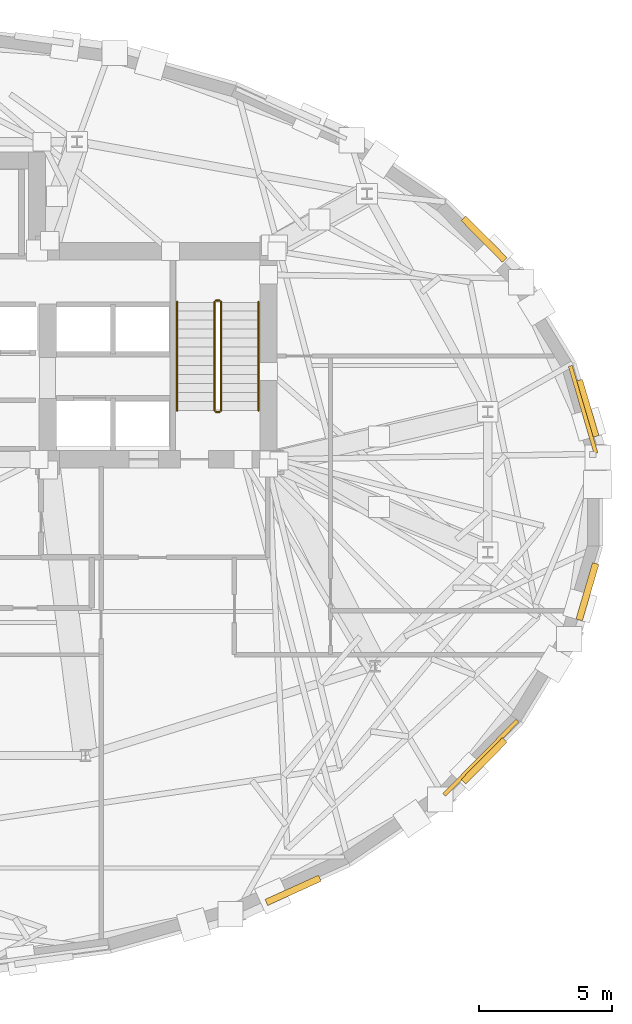
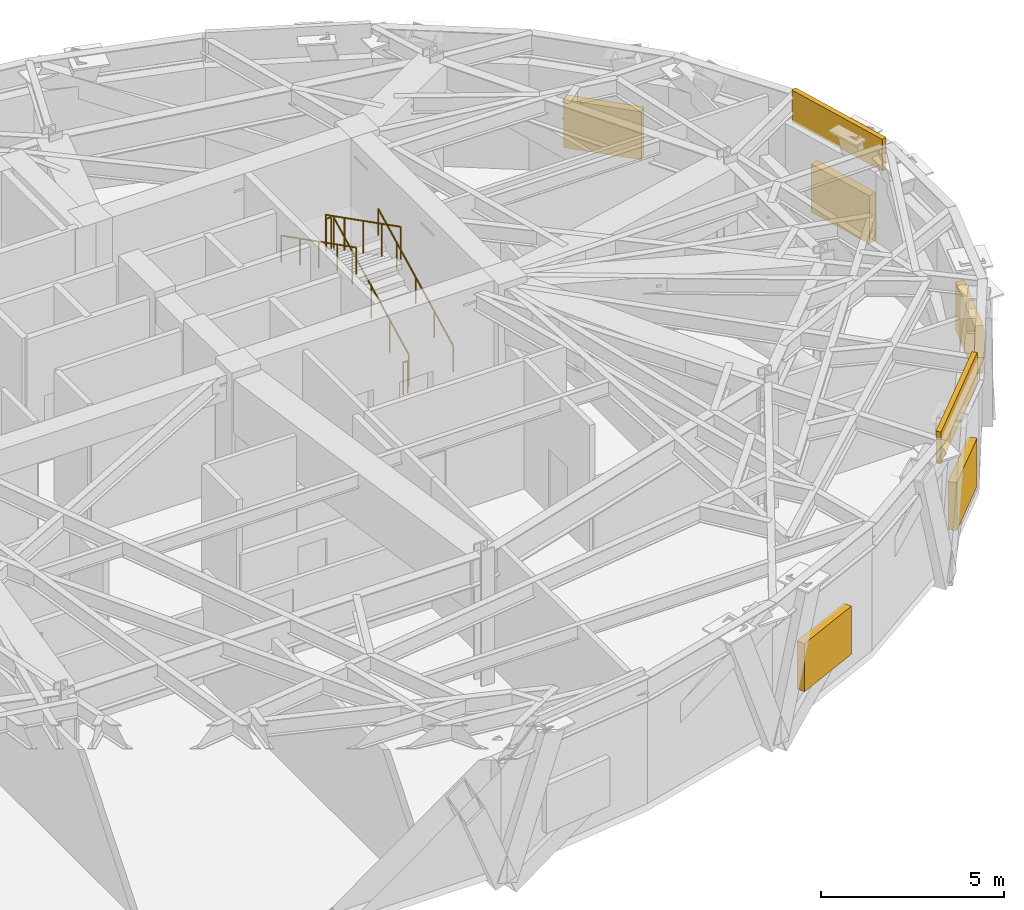
# One storey, part 12 of 13: 6 railings, 5 shading devices, 2 coverings.
"""IFC4 building model written with IfcOpenShell, lengths in metres."""

from ifc_helpers import new_model, si_unit, direction, frame, origin, origin_2d, place, context, subcontext, project, spatial, rectangle, circle, extrude, material, layer, layer_set, type_object, element, save


model = new_model("IFC4")

# Units and contexts
model_context = context("Model", 3, precision=1e-05, world=origin(), true_north=direction((0.0, 1.0)))
body_context = subcontext(model_context, "Body", "Model", "MODEL_VIEW")
ifc_project = project(units=[si_unit("LENGTHUNIT", "METRE"), si_unit("AREAUNIT", "SQUARE_METRE"), si_unit("VOLUMEUNIT", "CUBIC_METRE"), si_unit("PLANEANGLEUNIT", "RADIAN"), si_unit("MASSUNIT", "GRAM", prefix="KILO")], contexts=[model_context])

# Site, building, storey
site_placement = place(None, origin())
site = spatial("IfcSite", under=ifc_project, at=site_placement, CompositionType="ELEMENT")
building_placement = place(site_placement, origin())
building = spatial("IfcBuilding", under=site, at=building_placement, Name="Keldmark Tower", CompositionType="ELEMENT")
storey_placement = place(building_placement, frame((0.0, 0.0, 135.10009765625)))
storey = spatial("IfcBuildingStorey", under=building, at=storey_placement, Name="L36", CompositionType="ELEMENT", Elevation=135.10009765625)

# Coverings
ifc_material_1 = material(Name="Honed Kasota Buff Dolomitic Limestone", Category="masonry")
ifc_layer = layer(ifc_material_1, 0.074951171875)
ifc_layer_set = layer_set([ifc_layer], Name="Honed Kasota Buff Dolomitic Limestone")
covering_type = type_object("IfcCoveringType", Name="Kasota Buff Limestone Spandrel Cladding Band", PredefinedType="CLADDING", material=ifc_layer_set)
covering_1_placement = place(storey_placement, frame((25.27197265625, 3.389892578125, 3.421875), z_axis=(0.0, 0.0, 1.0), x_axis=(-0.281654913929, 0.959515768218, 0.0)))
element("IfcCovering", 1, at=covering_1_placement, inside=storey, type_object=covering_type, Name="L36 Kasota Limestone Spandrel Band 01", PredefinedType="CLADDING", context=body_context, shape_type="SweptSolid", body=[
    extrude(rectangle(XDim=3.41064453125, YDim=0.14990234375, at=origin_2d()), origin(), (0.0, 0.0, 1.0), 1.05810546875),
])
covering_2_placement = place(storey_placement, frame((21.435791015625, -9.664794921875, 3.421875), z_axis=(0.0, 0.0, 1.0), x_axis=(0.702090914327, 0.712087317693, 0.0)))
element("IfcCovering", 2, at=covering_2_placement, inside=storey, type_object=covering_type, Name="L36 Kasota Limestone Spandrel Band 29", PredefinedType="CLADDING", context=body_context, shape_type="SweptSolid", body=[
    extrude(rectangle(XDim=3.9130859375, YDim=0.14990234375, at=origin_2d()), origin(), (0.0, 0.0, 1.0), 1.05810546875),
])

# Shading devices
ifc_material_2 = material(Name="Fluoropolymer-Coated Extruded Aluminum Stormproof Blades", Category="aluminium")
shading_device_type = type_object("IfcShadingDeviceType", Name="Mechanical Floor Acoustic Intake Louvre", PredefinedType="JALOUSIE", material=ifc_material_2)
for number, where, z_axis, x_axis, name in (
    (3, (25.435302734375, 3.437744140625, 0.64990234375), (0.0, 0.0, 1.0), (-0.281654913929, 0.959515768218, 0.0), "L36 Acoustic Stormproof Louvre 01"),
    (4, (21.556884765625, 9.7841796875, 0.64990234375), (0.0, 0.0, 1.0), (-0.702090914327, 0.712087317693, 0.0), "L36 Acoustic Stormproof Louvre 03"),
    (5, (14.39990234375, -14.634521484375, 0.64990234375), (0.0, 0.0, 1.0), (0.910950242101, 0.412516249881, 0.0), "L36 Acoustic Stormproof Louvre 27"),
    (6, (21.556884765625, -9.7841796875, 0.64990234375), (0.0, 0.0, 1.0), (0.702090914327, 0.712087317693, 0.0), "L36 Acoustic Stormproof Louvre 29"),
    (7, (25.435302734375, -3.437744140625, 0.64990234375), (0.0, 0.0, 1.0), (0.281654913929, 0.959515768218, 0.0), "L36 Acoustic Stormproof Louvre 31"),
):
    element("IfcShadingDevice", number, at=place(storey_placement, frame(where, z_axis=z_axis, x_axis=x_axis)), inside=storey, type_object=shading_device_type, Name=name, PredefinedType="JALOUSIE", context=body_context, shape_type="SweptSolid", body=[
        extrude(rectangle(XDim=2.199951171875, YDim=0.25, at=origin_2d()), origin(), (0.0, 0.0, 1.0), 1.60009765625),
    ])

# Railings
ifc_material_3 = material(Name="Painted Steel ASTM A500 Grade B", Category="steel")
railing_type_1 = type_object("IfcRailingType", Name="Painted Steel Stair Well Guard 1100 mm", PredefinedType="GUARDRAIL", material=ifc_material_3)
railing_1_placement = place(storey_placement, frame((11.699951171875, 3.35009765625, 0.173095703125)))
element("IfcRailing", 8, at=railing_1_placement, inside=storey, type_object=railing_type_1, Name="L36 ST2 stair guard 1", PredefinedType="GUARDRAIL", context=body_context, shape_type="SweptSolid", body=[
    extrude(circle(Radius=0.02392578125, at=origin_2d()), frame((0.0, 0.0, 1.076171875), z_axis=(0.0, 0.891172131844, 0.453665329759), x_axis=(-1.0, 0.0, 0.0)), (0.0, 0.0, 1.0), 4.578125),
    extrude(circle(Radius=0.02099609375, at=origin_2d()), origin(), (0.0, 0.0, 1.0), 1.052001953125),
    extrude(circle(Radius=0.02099609375, at=origin_2d()), frame((0.0, 1.02001953125, 0.519287109375)), (0.0, 0.0, 1.0), 1.052001953125),
    extrude(circle(Radius=0.02099609375, at=origin_2d()), frame((0.0, 2.0400390625, 1.03857421875)), (0.0, 0.0, 1.0), 1.052001953125),
    extrude(circle(Radius=0.02099609375, at=origin_2d()), frame((0.0, 3.059814453125, 1.5576171875)), (0.0, 0.0, 1.0), 1.052001953125),
    extrude(circle(Radius=0.02099609375, at=origin_2d()), frame((0.0, 4.079833984375, 2.076904296875)), (0.0, 0.0, 1.0), 1.052001953125),
])
railing_2_placement = place(storey_placement, frame((11.64990234375, 7.47998046875, 2.25)))
element("IfcRailing", 9, at=railing_2_placement, inside=storey, type_object=railing_type_1, Name="L36 ST2 stair guard 2", PredefinedType="GUARDRAIL", context=body_context, shape_type="SweptSolid", body=[
    extrude(circle(Radius=0.02392578125, at=origin_2d()), frame((0.0, 0.0, 1.076171875), z_axis=(-1.0, 0.0, 0.0), x_axis=(0.0, -1.0, 0.0)), (0.0, 0.0, 1.0), 0.14990234375),
    extrude(circle(Radius=0.02099609375, at=origin_2d()), origin(), (0.0, 0.0, 1.0), 1.052001953125),
    extrude(circle(Radius=0.02099609375, at=origin_2d()), frame((-0.14990234375, 0.0, 0.0)), (0.0, 0.0, 1.0), 1.052001953125),
])
railing_3_placement = place(storey_placement, frame((11.449951171875, 7.429931640625, 2.423095703125)))
element("IfcRailing", 10, at=railing_3_placement, inside=storey, type_object=railing_type_1, Name="L36 ST2 stair guard 3", PredefinedType="GUARDRAIL", context=body_context, shape_type="SweptSolid", body=[
    extrude(circle(Radius=0.02392578125, at=origin_2d()), frame((0.0, 0.0, 1.076171875), z_axis=(0.0, -0.891172131844, 0.453665329759), x_axis=(1.0, 0.0, 0.0)), (0.0, 0.0, 1.0), 4.578125),
    extrude(circle(Radius=0.02099609375, at=origin_2d()), origin(), (0.0, 0.0, 1.0), 1.052001953125),
    extrude(circle(Radius=0.02099609375, at=origin_2d()), frame((0.0, -1.02001953125, 0.519287109375)), (0.0, 0.0, 1.0), 1.052001953125),
    extrude(circle(Radius=0.02099609375, at=origin_2d()), frame((0.0, -2.0400390625, 1.03857421875)), (0.0, 0.0, 1.0), 1.052001953125),
    extrude(circle(Radius=0.02099609375, at=origin_2d()), frame((0.0, -3.059814453125, 1.5576171875)), (0.0, 0.0, 1.0), 1.052001953125),
    extrude(circle(Radius=0.02099609375, at=origin_2d()), frame((0.0, -4.079833984375, 2.076904296875)), (0.0, 0.0, 1.0), 1.052001953125),
])
railing_4_placement = place(storey_placement, frame((11.64990234375, 3.300048828125, 0.0)))
element("IfcRailing", 11, at=railing_4_placement, inside=storey, type_object=railing_type_1, Name="L36 ST2 stair guard 4", PredefinedType="GUARDRAIL", context=body_context, shape_type="SweptSolid", body=[
    extrude(circle(Radius=0.02392578125, at=origin_2d()), frame((0.0, 0.0, 1.076171875), z_axis=(-1.0, 0.0, 0.0), x_axis=(0.0, -1.0, 0.0)), (0.0, 0.0, 1.0), 0.14990234375),
    extrude(circle(Radius=0.02099609375, at=origin_2d()), origin(), (0.0, 0.0, 1.0), 1.052001953125),
    extrude(circle(Radius=0.02099609375, at=origin_2d()), frame((-0.14990234375, 0.0, 0.0)), (0.0, 0.0, 1.0), 1.052001953125),
])
ifc_material_4 = material(Name="Stainless Steel AISI 316L", Category="steel")
railing_type_2 = type_object("IfcRailingType", Name="Stainless Steel Stair Handrail 900 mm", PredefinedType="HANDRAIL", material=ifc_material_4)
railing_5_placement = place(storey_placement, frame((13.10009765625, 3.35009765625, 0.173095703125)))
element("IfcRailing", 12, at=railing_5_placement, inside=storey, type_object=railing_type_2, Name="L36 ST2 stair handrail 1", PredefinedType="HANDRAIL", context=body_context, shape_type="SweptSolid", body=[
    extrude(circle(Radius=0.02392578125, at=origin_2d()), frame((0.0, 0.0, 0.8759765625), z_axis=(0.0, 0.891172131844, 0.453665329759), x_axis=(-1.0, 0.0, 0.0)), (0.0, 0.0, 1.0), 4.578125),
    extrude(circle(Radius=0.02099609375, at=origin_2d()), origin(), (0.0, 0.0, 1.0), 0.851806640625),
    extrude(circle(Radius=0.02099609375, at=origin_2d()), frame((0.0, 1.02001953125, 0.519287109375)), (0.0, 0.0, 1.0), 0.851806640625),
    extrude(circle(Radius=0.02099609375, at=origin_2d()), frame((0.0, 2.0400390625, 1.03857421875)), (0.0, 0.0, 1.0), 0.851806640625),
    extrude(circle(Radius=0.02099609375, at=origin_2d()), frame((0.0, 3.059814453125, 1.5576171875)), (0.0, 0.0, 1.0), 0.851806640625),
    extrude(circle(Radius=0.02099609375, at=origin_2d()), frame((0.0, 4.079833984375, 2.076904296875)), (0.0, 0.0, 1.0), 0.851806640625),
])
railing_6_placement = place(storey_placement, frame((10.050048828125, 7.429931640625, 2.423095703125)))
element("IfcRailing", 13, at=railing_6_placement, inside=storey, type_object=railing_type_2, Name="L36 ST2 stair handrail 2", PredefinedType="HANDRAIL", context=body_context, shape_type="SweptSolid", body=[
    extrude(circle(Radius=0.02392578125, at=origin_2d()), frame((0.0, 0.0, 0.8759765625), z_axis=(0.0, -0.891172131844, 0.453665329759), x_axis=(1.0, 0.0, 0.0)), (0.0, 0.0, 1.0), 4.578125),
    extrude(circle(Radius=0.02099609375, at=origin_2d()), origin(), (0.0, 0.0, 1.0), 0.851806640625),
    extrude(circle(Radius=0.02099609375, at=origin_2d()), frame((0.0, -1.02001953125, 0.519287109375)), (0.0, 0.0, 1.0), 0.851806640625),
    extrude(circle(Radius=0.02099609375, at=origin_2d()), frame((0.0, -2.0400390625, 1.03857421875)), (0.0, 0.0, 1.0), 0.851806640625),
    extrude(circle(Radius=0.02099609375, at=origin_2d()), frame((0.0, -3.059814453125, 1.5576171875)), (0.0, 0.0, 1.0), 0.851806640625),
    extrude(circle(Radius=0.02099609375, at=origin_2d()), frame((0.0, -4.079833984375, 2.076904296875)), (0.0, 0.0, 1.0), 0.851806640625),
])

save(model, "model.ifc")
